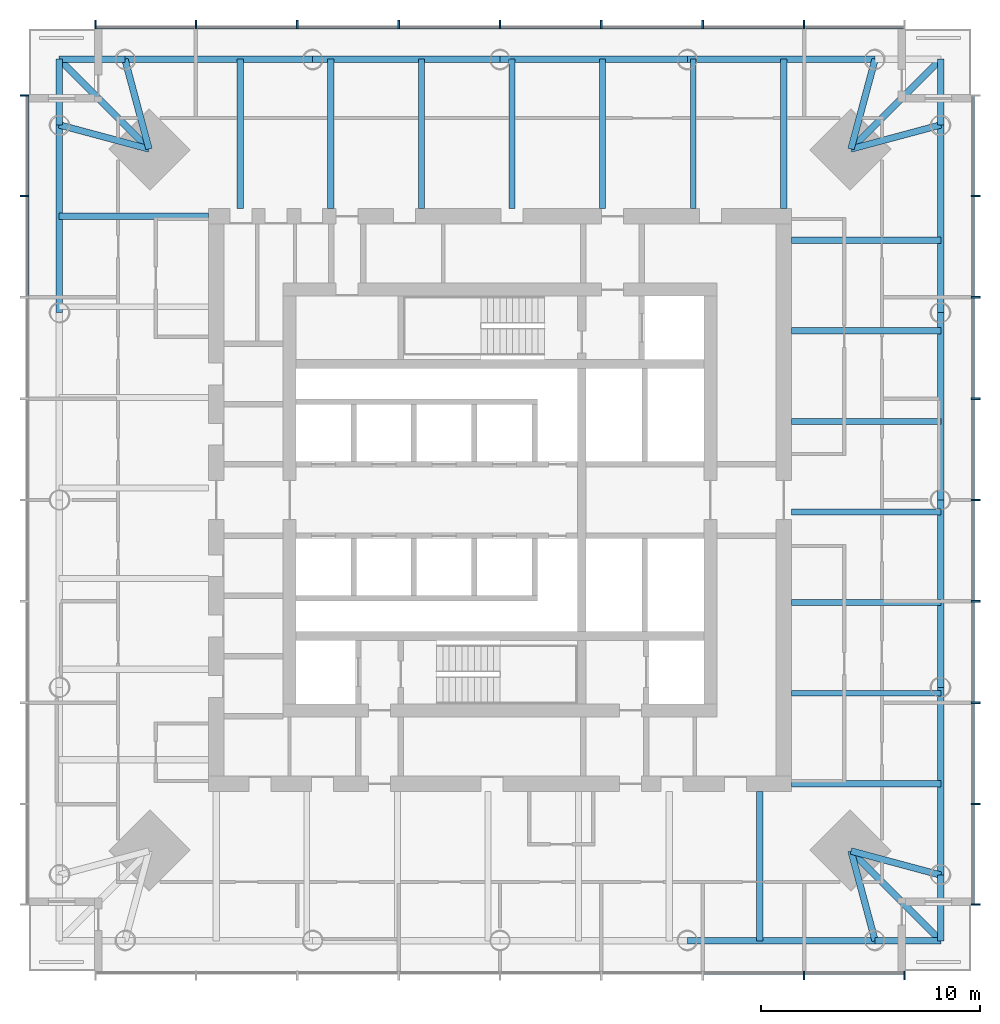
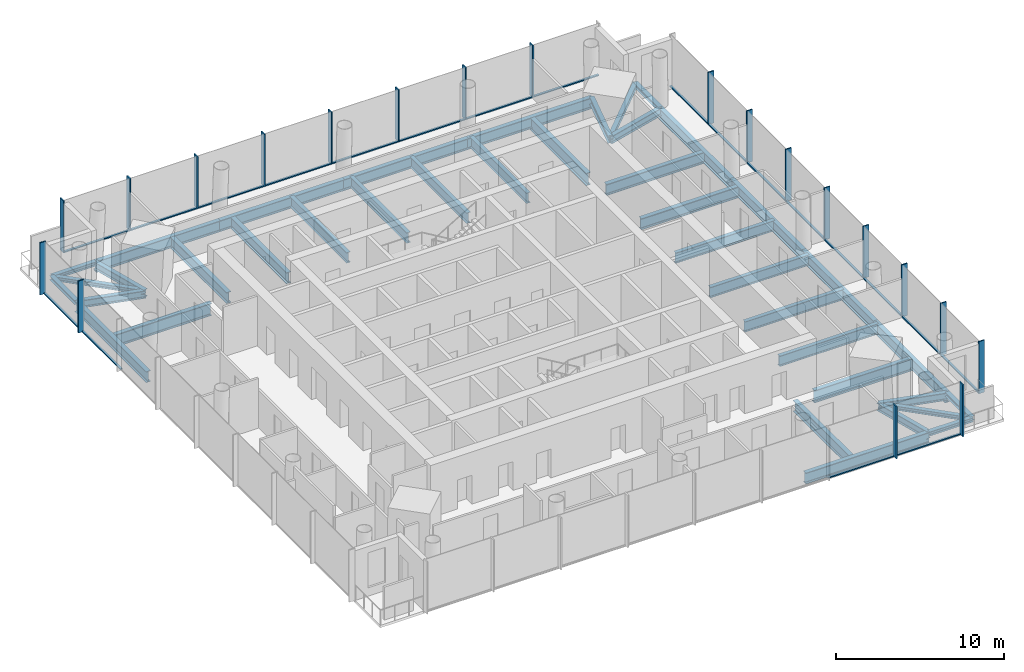
# One storey, part 2 of 9: 40 beams, 40 members, 4 elements without a shape of their own.
"""IFC4 building model written with IfcOpenShell, lengths in metres."""

from ifc_helpers import new_model, si_unit, direction, frame, origin, origin_2d, place, context, subcontext, project, spatial, rectangle, i_section, extrude, material, material_profile, profile_set, type_object, element, aggregate, save


model = new_model("IFC4")

# Units and contexts
model_context = context("Model", 3, precision=1e-05, world=origin(), true_north=direction((0.0, 1.0)))
body_context = subcontext(model_context, "Body", "Model", "MODEL_VIEW")
ifc_project = project(units=[si_unit("LENGTHUNIT", "METRE"), si_unit("AREAUNIT", "SQUARE_METRE"), si_unit("VOLUMEUNIT", "CUBIC_METRE"), si_unit("PLANEANGLEUNIT", "RADIAN"), si_unit("MASSUNIT", "GRAM", prefix="KILO")], contexts=[model_context])

# Site, building, storey
site_placement = place(None, origin())
site = spatial("IfcSite", under=ifc_project, at=site_placement, CompositionType="ELEMENT")
building_placement = place(site_placement, origin())
building = spatial("IfcBuilding", under=site, at=building_placement, Name="Ostroluk Exchange", CompositionType="ELEMENT")
storey_placement = place(building_placement, frame((0.0, 0.0, 142.60009765625)))
storey = spatial("IfcBuildingStorey", under=building, at=storey_placement, Name="L36", CompositionType="ELEMENT", Elevation=142.60009765625)

# Beams
ifc_material_1 = material(Name="Steel S355", Category="steel")
ifc_material_profile_1 = material_profile(ifc_material_1, i_section(OverallWidth=0.300048828125, OverallDepth=0.300048828125, WebThickness=0.010986328125, FlangeThickness=0.01904296875, FilletRadius=0.027099609375, at=origin_2d()), Name="HEB 300")
ifc_profile_set_1 = profile_set([ifc_material_profile_1], Name="Steel S355")
beam_type_1 = type_object("IfcBeamType", Name="Balcony beam HEB 300", PredefinedType="BEAM", material=ifc_profile_set_1)
beam_1_placement = place(storey_placement, frame((65.1142578125, 63.1142578125, -0.330078125), z_axis=(0.0, 1.0, 0.0), x_axis=(-1.0, 0.0, 0.0)))
element("IfcBeam", 1, at=beam_1_placement, inside=storey, type_object=beam_type_1, Name="T1 east balcony beam a", PredefinedType="BEAM", context=body_context, shape_type="SweptSolid", body=[
    extrude(i_section(OverallWidth=0.300048828125, OverallDepth=0.300048828125, WebThickness=0.010986328125, FlangeThickness=0.01904296875, FilletRadius=0.027099609375, at=origin_2d()), origin(), (0.0, 0.0, 1.0), 3.0),
])
beam_2_placement = place(storey_placement, frame((61.014404296875, 62.014404296875, -0.330078125), z_axis=(0.707106781187, 0.707106781187, 0.0), x_axis=(-0.707106781187, 0.707106781187, 0.0)))
element("IfcBeam", 2, at=beam_2_placement, inside=storey, type_object=beam_type_1, Name="T1 east balcony beam c", PredefinedType="BEAM", context=body_context, shape_type="SweptSolid", body=[
    extrude(i_section(OverallWidth=0.300048828125, OverallDepth=0.300048828125, WebThickness=0.010986328125, FlangeThickness=0.01904296875, FilletRadius=0.027099609375, at=origin_2d()), origin(), (0.0, 0.0, 1.0), 5.798095703125),
])
for number, where, z_axis, x_axis, name in (
    (3, (27.8857421875, 66.1142578125, -0.330078125), (-1.0, 0.0, 0.0), (0.0, -1.0, 0.0), "T1 north balcony beam a"),
    (4, (24.8857421875, 63.1142578125, -0.330078125), (0.0, 1.0, 0.0), (-1.0, 0.0, 0.0), "T1 north balcony beam b"),
):
    element("IfcBeam", number, at=place(storey_placement, frame(where, z_axis=z_axis, x_axis=x_axis)), inside=storey, type_object=beam_type_1, Name=name, PredefinedType="BEAM", context=body_context, shape_type="SweptSolid", body=[
        extrude(i_section(OverallWidth=0.300048828125, OverallDepth=0.300048828125, WebThickness=0.010986328125, FlangeThickness=0.01904296875, FilletRadius=0.027099609375, at=origin_2d()), origin(), (0.0, 0.0, 1.0), 3.0),
    ])
beam_3_placement = place(storey_placement, frame((28.985595703125, 62.014404296875, -0.330078125), z_axis=(-0.707106781187, 0.707106781187, 0.0), x_axis=(-0.707106781187, -0.707106781187, 0.0)))
element("IfcBeam", 5, at=beam_3_placement, inside=storey, type_object=beam_type_1, Name="T1 north balcony beam c", PredefinedType="BEAM", context=body_context, shape_type="SweptSolid", body=[
    extrude(i_section(OverallWidth=0.300048828125, OverallDepth=0.300048828125, WebThickness=0.010986328125, FlangeThickness=0.01904296875, FilletRadius=0.027099609375, at=origin_2d()), origin(), (0.0, 0.0, 1.0), 5.798095703125),
])
for number, where, z_axis, x_axis, name in (
    (6, (62.1142578125, 25.8857421875, -0.330078125), (1.0, 0.0, 0.0), (0.0, 1.0, 0.0), "T1 south balcony beam a"),
    (7, (65.1142578125, 28.8857421875, -0.330078125), (0.0, -1.0, 0.0), (1.0, 0.0, 0.0), "T1 south balcony beam b"),
):
    element("IfcBeam", number, at=place(storey_placement, frame(where, z_axis=z_axis, x_axis=x_axis)), inside=storey, type_object=beam_type_1, Name=name, PredefinedType="BEAM", context=body_context, shape_type="SweptSolid", body=[
        extrude(i_section(OverallWidth=0.300048828125, OverallDepth=0.300048828125, WebThickness=0.010986328125, FlangeThickness=0.01904296875, FilletRadius=0.027099609375, at=origin_2d()), origin(), (0.0, 0.0, 1.0), 3.0),
    ])
beam_4_placement = place(storey_placement, frame((61.014404296875, 29.985595703125, -0.330078125), z_axis=(0.707106781187, -0.707106781187, 0.0), x_axis=(0.707106781187, 0.707106781187, 0.0)))
element("IfcBeam", 8, at=beam_4_placement, inside=storey, type_object=beam_type_1, Name="T1 south balcony beam c", PredefinedType="BEAM", context=body_context, shape_type="SweptSolid", body=[
    extrude(i_section(OverallWidth=0.300048828125, OverallDepth=0.300048828125, WebThickness=0.010986328125, FlangeThickness=0.01904296875, FilletRadius=0.027099609375, at=origin_2d()), origin(), (0.0, 0.0, 1.0), 5.798095703125),
])
ifc_material_2 = material(Name="Steel S355", Category="steel")
ifc_material_profile_2 = material_profile(ifc_material_2, i_section(OverallWidth=0.300048828125, OverallDepth=0.550048828125, WebThickness=0.014892578125, FlangeThickness=0.029052734375, FilletRadius=0.027099609375, at=origin_2d()), Name="HEB 550")
ifc_profile_set_2 = profile_set([ifc_material_profile_2], Name="Steel S355")
beam_type_2 = type_object("IfcBeamType", Name="Corner edge beam HEB 550", PredefinedType="SPANDREL", material=ifc_profile_set_2)
for number, where, z_axis, x_axis, name in (
    (9, (61.014404296875, 62.014404296875, -0.455078125), (0.965849156574, 0.259105011038, 0.0), (-0.259105011038, 0.965849156574, 0.0), "T1 east corner edge beam a"),
    (10, (61.014404296875, 62.014404296875, -0.455078125), (0.259105011038, 0.965849156574, 0.0), (-0.965849156574, 0.259105011038, 0.0), "T1 east corner edge beam b"),
    (11, (28.985595703125, 62.014404296875, -0.455078125), (-0.259105011038, 0.965849156574, 0.0), (-0.965849156574, -0.259105011038, 0.0), "T1 north corner edge beam a"),
    (12, (28.985595703125, 62.014404296875, -0.455078125), (-0.965849156574, 0.259105011038, 0.0), (-0.259105011038, -0.965849156574, 0.0), "T1 north corner edge beam b"),
    (13, (61.014404296875, 29.985595703125, -0.455078125), (0.259105011038, -0.965849156574, 0.0), (0.965849156574, 0.259105011038, 0.0), "T1 south corner edge beam a"),
    (14, (61.014404296875, 29.985595703125, -0.455078125), (0.965849156574, -0.259105011038, 0.0), (0.259105011038, 0.965849156574, 0.0), "T1 south corner edge beam b"),
):
    element("IfcBeam", number, at=place(storey_placement, frame(where, z_axis=z_axis, x_axis=x_axis)), inside=storey, type_object=beam_type_2, Name=name, PredefinedType="SPANDREL", context=body_context, shape_type="SweptSolid", body=[
        extrude(i_section(OverallWidth=0.300048828125, OverallDepth=0.550048828125, WebThickness=0.014892578125, FlangeThickness=0.029052734375, FilletRadius=0.027099609375, at=origin_2d()), origin(), (0.0, 0.0, 1.0), 4.244873046875),
    ])
ifc_material_3 = material(Name="Steel S355", Category="steel")
ifc_material_profile_3 = material_profile(ifc_material_3, i_section(OverallWidth=0.302978515625, OverallDepth=0.81396484375, WebThickness=0.02099609375, FlangeThickness=0.0400390625, FilletRadius=0.030029296875, at=origin_2d()), Name="HEM 800")
ifc_profile_set_3 = profile_set([ifc_material_profile_3], Name="Steel S355")
beam_type_3 = type_object("IfcBeamType", Name="Floor beam HEM 800", PredefinedType="BEAM", material=ifc_profile_set_3)
for number, where, z_axis, x_axis, name in (
    (15, (58.300048828125, 53.715087890625, -0.587158203125), (1.0, 0.0, 0.0), (0.0, 1.0, 0.0), "T1 east floor beam 5"),
    (16, (58.300048828125, 57.84814453125, -0.587158203125), (1.0, 0.0, 0.0), (0.0, 1.0, 0.0), "T1 east floor beam 6"),
    (17, (37.284912109375, 59.300048828125, -0.587158203125), (0.0, 1.0, 0.0), (-1.0, 0.0, 0.0), "T1 north floor beam 5"),
    (18, (33.15185546875, 59.300048828125, -0.587158203125), (0.0, 1.0, 0.0), (-1.0, 0.0, 0.0), "T1 north floor beam 6"),
    (19, (56.84814453125, 32.699951171875, -0.587158203125), (0.0, -1.0, 0.0), (1.0, 0.0, 0.0), "T1 south floor beam 6"),
):
    element("IfcBeam", number, at=place(storey_placement, frame(where, z_axis=z_axis, x_axis=x_axis)), inside=storey, type_object=beam_type_3, Name=name, PredefinedType="BEAM", context=body_context, shape_type="SweptSolid", body=[
        extrude(i_section(OverallWidth=0.302978515625, OverallDepth=0.81396484375, WebThickness=0.02099609375, FlangeThickness=0.0400390625, FilletRadius=0.030029296875, at=origin_2d()), origin(), (0.0, 0.0, 1.0), 6.814208984375),
    ])
ifc_material_4 = material(Name="Steel S355", Category="steel")
ifc_material_profile_4 = material_profile(ifc_material_4, i_section(OverallWidth=0.26708984375, OverallDepth=0.761962890625, WebThickness=0.014404296875, FlangeThickness=0.021484375, FilletRadius=0.01708984375, at=origin_2d()), Name="IPE 750x173")
ifc_profile_set_4 = profile_set([ifc_material_profile_4], Name="Steel S355")
beam_type_4 = type_object("IfcBeamType", Name="Floor beam IPE 750x173", PredefinedType="BEAM", material=ifc_profile_set_4)
for number, where, z_axis, x_axis, name in (
    (20, (58.300048828125, 37.18310546875, -0.56103515625), (1.0, 0.0, 0.0), (0.0, 1.0, 0.0), "T1 east floor beam 1"),
    (21, (58.300048828125, 41.316162109375, -0.56103515625), (1.0, 0.0, 0.0), (0.0, 1.0, 0.0), "T1 east floor beam 2"),
    (22, (58.300048828125, 45.44921875, -0.56103515625), (1.0, 0.0, 0.0), (0.0, 1.0, 0.0), "T1 east floor beam 3"),
    (23, (58.300048828125, 49.58203125, -0.56103515625), (1.0, 0.0, 0.0), (0.0, 1.0, 0.0), "T1 east floor beam 4"),
    (24, (53.81689453125, 59.300048828125, -0.56103515625), (0.0, 1.0, 0.0), (-1.0, 0.0, 0.0), "T1 north floor beam 1"),
    (25, (49.683837890625, 59.300048828125, -0.56103515625), (0.0, 1.0, 0.0), (-1.0, 0.0, 0.0), "T1 north floor beam 2"),
    (26, (45.55078125, 59.300048828125, -0.56103515625), (0.0, 1.0, 0.0), (-1.0, 0.0, 0.0), "T1 north floor beam 3"),
    (27, (41.41796875, 59.300048828125, -0.56103515625), (0.0, 1.0, 0.0), (-1.0, 0.0, 0.0), "T1 north floor beam 4"),
):
    element("IfcBeam", number, at=place(storey_placement, frame(where, z_axis=z_axis, x_axis=x_axis)), inside=storey, type_object=beam_type_4, Name=name, PredefinedType="BEAM", context=body_context, shape_type="SweptSolid", body=[
        extrude(i_section(OverallWidth=0.26708984375, OverallDepth=0.761962890625, WebThickness=0.014404296875, FlangeThickness=0.021484375, FilletRadius=0.01708984375, at=origin_2d()), origin(), (0.0, 0.0, 1.0), 6.814208984375),
    ])
ifc_material_5 = material(Name="Steel S355", Category="steel")
ifc_material_profile_5 = material_profile(ifc_material_5, i_section(OverallWidth=0.300048828125, OverallDepth=0.89990234375, WebThickness=0.0185546875, FlangeThickness=0.034912109375, FilletRadius=0.030029296875, at=origin_2d()), Name="HEB 900")
ifc_profile_set_5 = profile_set([ifc_material_profile_5], Name="Steel S355")
beam_type_5 = type_object("IfcBeamType", Name="Girder HEB 900", PredefinedType="BEAM", material=ifc_profile_set_5)
for number, where, z_axis, x_axis, name in (
    (28, (57.949951171875, 59.300048828125, -0.630126953125), (0.0, 1.0, 0.0), (-1.0, 0.0, 0.0), "T1 east girder"),
    (29, (31.699951171875, 58.949951171875, -0.630126953125), (-1.0, 0.0, 0.0), (0.0, -1.0, 0.0), "T1 north girder"),
    (30, (58.300048828125, 33.050048828125, -0.630126953125), (1.0, 0.0, 0.0), (0.0, 1.0, 0.0), "T1 south girder"),
):
    element("IfcBeam", number, at=place(storey_placement, frame(where, z_axis=z_axis, x_axis=x_axis)), inside=storey, type_object=beam_type_5, Name=name, PredefinedType="BEAM", context=body_context, shape_type="SweptSolid", body=[
        extrude(i_section(OverallWidth=0.300048828125, OverallDepth=0.89990234375, WebThickness=0.0185546875, FlangeThickness=0.034912109375, FilletRadius=0.030029296875, at=origin_2d()), origin(), (0.0, 0.0, 1.0), 6.814208984375),
    ])
ifc_material_6 = material(Name="Steel S355", Category="steel")
ifc_material_profile_6 = material_profile(ifc_material_6, i_section(OverallWidth=0.300048828125, OverallDepth=0.800048828125, WebThickness=0.017578125, FlangeThickness=0.032958984375, FilletRadius=0.030029296875, at=origin_2d()), Name="HEB 800")
ifc_profile_set_6 = profile_set([ifc_material_profile_6], Name="Steel S355")
beam_type_6 = type_object("IfcBeamType", Name="Moment-connected edge beam HEB 800", PredefinedType="SPANDREL", material=ifc_profile_set_6)
for number, where, z_axis, x_axis, name in (
    (31, (65.1142578125, 28.8857421875, -0.580078125), (0.0, 1.0, 0.0), (-1.0, 0.0, 0.0), "T1 east edge beam 1"),
    (32, (65.1142578125, 37.44287109375, -0.580078125), (0.0, 1.0, 0.0), (-1.0, 0.0, 0.0), "T1 east edge beam 2"),
    (33, (65.1142578125, 46.0, -0.580078125), (0.0, 1.0, 0.0), (-1.0, 0.0, 0.0), "T1 east edge beam 3"),
    (34, (65.1142578125, 54.55712890625, -0.580078125), (0.0, 1.0, 0.0), (-1.0, 0.0, 0.0), "T1 east edge beam 4"),
    (35, (62.1142578125, 66.1142578125, -0.580078125), (-1.0, 0.0, 0.0), (0.0, -1.0, 0.0), "T1 north edge beam 1"),
    (36, (53.55712890625, 66.1142578125, -0.580078125), (-1.0, 0.0, 0.0), (0.0, -1.0, 0.0), "T1 north edge beam 2"),
    (37, (45.0, 66.1142578125, -0.580078125), (-1.0, 0.0, 0.0), (0.0, -1.0, 0.0), "T1 north edge beam 3"),
    (38, (36.44287109375, 66.1142578125, -0.580078125), (-1.0, 0.0, 0.0), (0.0, -1.0, 0.0), "T1 north edge beam 4"),
    (39, (24.8857421875, 63.1142578125, -0.580078125), (0.0, -1.0, 0.0), (1.0, 0.0, 0.0), "T1 west edge beam 1"),
    (40, (53.55712890625, 25.8857421875, -0.580078125), (1.0, 0.0, 0.0), (0.0, 1.0, 0.0), "T1 south edge beam 4"),
):
    element("IfcBeam", number, at=place(storey_placement, frame(where, z_axis=z_axis, x_axis=x_axis)), inside=storey, type_object=beam_type_6, Name=name, PredefinedType="SPANDREL", context=body_context, shape_type="SweptSolid", body=[
        extrude(i_section(OverallWidth=0.300048828125, OverallDepth=0.800048828125, WebThickness=0.017578125, FlangeThickness=0.032958984375, FilletRadius=0.030029296875, at=origin_2d()), origin(), (0.0, 0.0, 1.0), 8.55712890625),
    ])

# Curtain wall, members
ifc_material_7 = material(Name="Laminated clear glass", Category="glass")
curtain_wall_type = type_object("IfcCurtainWallType", Name="Office tower facade", PredefinedType="USERDEFINED", material=ifc_material_7)
curtain_wall_1_placement = place(storey_placement, origin())
curtain_wall_1 = element("IfcCurtainWall", 41, at=curtain_wall_1_placement, inside=storey, type_object=curtain_wall_type, Name="Office tower south facade L36", ObjectType="UNITISED CURTAIN WALL", PredefinedType="USERDEFINED")
ifc_material_8 = material(Name="Aluminium mullion", Category="aluminium")
ifc_material_profile_7 = material_profile(ifc_material_8, rectangle(XDim=0.14990234375, YDim=0.080078125, at=origin_2d()), Name="Sill transom 80 x 150")
ifc_profile_set_7 = profile_set([ifc_material_profile_7], Name="Aluminium mullion")
member_type_1 = type_object("IfcMemberType", Name="Sill transom 80 x 150", PredefinedType="USERDEFINED", material=ifc_profile_set_7)
member_1_placement = place(storey_placement, frame((54.2900390625, 24.425048828125, 0.039794921875), z_axis=(1.0, 0.0, 0.0), x_axis=(0.0, 1.0, 0.0)))
member_1 = element("IfcMember", 42, at=member_1_placement, type_object=member_type_1, Name="CW-O1 transom 7.1", ObjectType="TRANSOM", PredefinedType="USERDEFINED", context=body_context, shape_type="SweptSolid", body=[
    extrude(rectangle(XDim=0.14990234375, YDim=0.080078125, at=origin_2d()), origin(), (0.0, 0.0, 1.0), 4.544921875),
])
member_2_placement = place(storey_placement, frame((58.9150390625, 24.425048828125, 0.039794921875), z_axis=(1.0, 0.0, 0.0), x_axis=(0.0, 1.0, 0.0)))
member_2 = element("IfcMember", 43, at=member_2_placement, type_object=member_type_1, Name="CW-O1 transom 8.1", ObjectType="TRANSOM", PredefinedType="USERDEFINED", context=body_context, shape_type="SweptSolid", body=[
    extrude(rectangle(XDim=0.14990234375, YDim=0.080078125, at=origin_2d()), origin(), (0.0, 0.0, 1.0), 4.5048828125),
])

curtain_wall_2_placement = place(storey_placement, origin())
curtain_wall_2 = element("IfcCurtainWall", 44, at=curtain_wall_2_placement, inside=storey, type_object=curtain_wall_type, Name="Office tower east facade L36", ObjectType="UNITISED CURTAIN WALL", PredefinedType="USERDEFINED")
member_3_placement = place(storey_placement, frame((66.574951171875, 27.580078125, 0.039794921875), z_axis=(0.0, 1.0, 0.0), x_axis=(-1.0, 0.0, 0.0)))
member_3 = element("IfcMember", 45, at=member_3_placement, type_object=member_type_1, Name="CW-O1 transom 1.1", ObjectType="TRANSOM", PredefinedType="USERDEFINED", context=body_context, shape_type="SweptSolid", body=[
    extrude(rectangle(XDim=0.14990234375, YDim=0.080078125, at=origin_2d()), origin(), (0.0, 0.0, 1.0), 4.5048828125),
])
member_4_placement = place(storey_placement, frame((66.574951171875, 32.1650390625, 0.039794921875), z_axis=(0.0, 1.0, 0.0), x_axis=(-1.0, 0.0, 0.0)))
member_4 = element("IfcMember", 46, at=member_4_placement, type_object=member_type_1, Name="CW-O1 transom 2.1", ObjectType="TRANSOM", PredefinedType="USERDEFINED", context=body_context, shape_type="SweptSolid", body=[
    extrude(rectangle(XDim=0.14990234375, YDim=0.080078125, at=origin_2d()), origin(), (0.0, 0.0, 1.0), 4.544921875),
])
member_5_placement = place(storey_placement, frame((66.574951171875, 36.7900390625, 0.039794921875), z_axis=(0.0, 1.0, 0.0), x_axis=(-1.0, 0.0, 0.0)))
member_5 = element("IfcMember", 47, at=member_5_placement, type_object=member_type_1, Name="CW-O1 transom 3.1", ObjectType="TRANSOM", PredefinedType="USERDEFINED", context=body_context, shape_type="SweptSolid", body=[
    extrude(rectangle(XDim=0.14990234375, YDim=0.080078125, at=origin_2d()), origin(), (0.0, 0.0, 1.0), 4.544921875),
])
member_6_placement = place(storey_placement, frame((66.574951171875, 41.4150390625, 0.039794921875), z_axis=(0.0, 1.0, 0.0), x_axis=(-1.0, 0.0, 0.0)))
member_6 = element("IfcMember", 48, at=member_6_placement, type_object=member_type_1, Name="CW-O1 transom 4.1", ObjectType="TRANSOM", PredefinedType="USERDEFINED", context=body_context, shape_type="SweptSolid", body=[
    extrude(rectangle(XDim=0.14990234375, YDim=0.080078125, at=origin_2d()), origin(), (0.0, 0.0, 1.0), 4.544921875),
])
member_7_placement = place(storey_placement, frame((66.574951171875, 46.0400390625, 0.039794921875), z_axis=(0.0, 1.0, 0.0), x_axis=(-1.0, 0.0, 0.0)))
member_7 = element("IfcMember", 49, at=member_7_placement, type_object=member_type_1, Name="CW-O1 transom 5.1", ObjectType="TRANSOM", PredefinedType="USERDEFINED", context=body_context, shape_type="SweptSolid", body=[
    extrude(rectangle(XDim=0.14990234375, YDim=0.080078125, at=origin_2d()), origin(), (0.0, 0.0, 1.0), 4.544921875),
])
member_8_placement = place(storey_placement, frame((66.574951171875, 50.6650390625, 0.039794921875), z_axis=(0.0, 1.0, 0.0), x_axis=(-1.0, 0.0, 0.0)))
member_8 = element("IfcMember", 50, at=member_8_placement, type_object=member_type_1, Name="CW-O1 transom 6.1", ObjectType="TRANSOM", PredefinedType="USERDEFINED", context=body_context, shape_type="SweptSolid", body=[
    extrude(rectangle(XDim=0.14990234375, YDim=0.080078125, at=origin_2d()), origin(), (0.0, 0.0, 1.0), 4.544921875),
])
member_9_placement = place(storey_placement, frame((66.574951171875, 55.2900390625, 0.039794921875), z_axis=(0.0, 1.0, 0.0), x_axis=(-1.0, 0.0, 0.0)))
member_9 = element("IfcMember", 51, at=member_9_placement, type_object=member_type_1, Name="CW-O1 transom 7.1", ObjectType="TRANSOM", PredefinedType="USERDEFINED", context=body_context, shape_type="SweptSolid", body=[
    extrude(rectangle(XDim=0.14990234375, YDim=0.080078125, at=origin_2d()), origin(), (0.0, 0.0, 1.0), 4.544921875),
])
member_10_placement = place(storey_placement, frame((66.574951171875, 59.9150390625, 0.039794921875), z_axis=(0.0, 1.0, 0.0), x_axis=(-1.0, 0.0, 0.0)))
member_10 = element("IfcMember", 52, at=member_10_placement, type_object=member_type_1, Name="CW-O1 transom 8.1", ObjectType="TRANSOM", PredefinedType="USERDEFINED", context=body_context, shape_type="SweptSolid", body=[
    extrude(rectangle(XDim=0.14990234375, YDim=0.080078125, at=origin_2d()), origin(), (0.0, 0.0, 1.0), 4.5048828125),
])

curtain_wall_3_placement = place(storey_placement, origin())
curtain_wall_3 = element("IfcCurtainWall", 53, at=curtain_wall_3_placement, inside=storey, type_object=curtain_wall_type, Name="Office tower north facade L36", ObjectType="UNITISED CURTAIN WALL", PredefinedType="USERDEFINED")
member_11_placement = place(storey_placement, frame((63.419921875, 67.574951171875, 0.039794921875), z_axis=(-1.0, 0.0, 0.0), x_axis=(0.0, -1.0, 0.0)))
member_11 = element("IfcMember", 54, at=member_11_placement, type_object=member_type_1, Name="CW-O1 transom 1.1", ObjectType="TRANSOM", PredefinedType="USERDEFINED", context=body_context, shape_type="SweptSolid", body=[
    extrude(rectangle(XDim=0.14990234375, YDim=0.080078125, at=origin_2d()), origin(), (0.0, 0.0, 1.0), 4.5048828125),
])
member_12_placement = place(storey_placement, frame((58.8349609375, 67.574951171875, 0.039794921875), z_axis=(-1.0, 0.0, 0.0), x_axis=(0.0, -1.0, 0.0)))
member_12 = element("IfcMember", 55, at=member_12_placement, type_object=member_type_1, Name="CW-O1 transom 2.1", ObjectType="TRANSOM", PredefinedType="USERDEFINED", context=body_context, shape_type="SweptSolid", body=[
    extrude(rectangle(XDim=0.14990234375, YDim=0.080078125, at=origin_2d()), origin(), (0.0, 0.0, 1.0), 4.544921875),
])
member_13_placement = place(storey_placement, frame((54.2099609375, 67.574951171875, 0.039794921875), z_axis=(-1.0, 0.0, 0.0), x_axis=(0.0, -1.0, 0.0)))
member_13 = element("IfcMember", 56, at=member_13_placement, type_object=member_type_1, Name="CW-O1 transom 3.1", ObjectType="TRANSOM", PredefinedType="USERDEFINED", context=body_context, shape_type="SweptSolid", body=[
    extrude(rectangle(XDim=0.14990234375, YDim=0.080078125, at=origin_2d()), origin(), (0.0, 0.0, 1.0), 4.544921875),
])
member_14_placement = place(storey_placement, frame((49.5849609375, 67.574951171875, 0.039794921875), z_axis=(-1.0, 0.0, 0.0), x_axis=(0.0, -1.0, 0.0)))
member_14 = element("IfcMember", 57, at=member_14_placement, type_object=member_type_1, Name="CW-O1 transom 4.1", ObjectType="TRANSOM", PredefinedType="USERDEFINED", context=body_context, shape_type="SweptSolid", body=[
    extrude(rectangle(XDim=0.14990234375, YDim=0.080078125, at=origin_2d()), origin(), (0.0, 0.0, 1.0), 4.544921875),
])
member_15_placement = place(storey_placement, frame((44.9599609375, 67.574951171875, 0.039794921875), z_axis=(-1.0, 0.0, 0.0), x_axis=(0.0, -1.0, 0.0)))
member_15 = element("IfcMember", 58, at=member_15_placement, type_object=member_type_1, Name="CW-O1 transom 5.1", ObjectType="TRANSOM", PredefinedType="USERDEFINED", context=body_context, shape_type="SweptSolid", body=[
    extrude(rectangle(XDim=0.14990234375, YDim=0.080078125, at=origin_2d()), origin(), (0.0, 0.0, 1.0), 4.544921875),
])
member_16_placement = place(storey_placement, frame((40.3349609375, 67.574951171875, 0.039794921875), z_axis=(-1.0, 0.0, 0.0), x_axis=(0.0, -1.0, 0.0)))
member_16 = element("IfcMember", 59, at=member_16_placement, type_object=member_type_1, Name="CW-O1 transom 6.1", ObjectType="TRANSOM", PredefinedType="USERDEFINED", context=body_context, shape_type="SweptSolid", body=[
    extrude(rectangle(XDim=0.14990234375, YDim=0.080078125, at=origin_2d()), origin(), (0.0, 0.0, 1.0), 4.544921875),
])
member_17_placement = place(storey_placement, frame((35.7099609375, 67.574951171875, 0.039794921875), z_axis=(-1.0, 0.0, 0.0), x_axis=(0.0, -1.0, 0.0)))
member_17 = element("IfcMember", 60, at=member_17_placement, type_object=member_type_1, Name="CW-O1 transom 7.1", ObjectType="TRANSOM", PredefinedType="USERDEFINED", context=body_context, shape_type="SweptSolid", body=[
    extrude(rectangle(XDim=0.14990234375, YDim=0.080078125, at=origin_2d()), origin(), (0.0, 0.0, 1.0), 4.544921875),
])
member_18_placement = place(storey_placement, frame((31.0849609375, 67.574951171875, 0.039794921875), z_axis=(-1.0, 0.0, 0.0), x_axis=(0.0, -1.0, 0.0)))
member_18 = element("IfcMember", 61, at=member_18_placement, type_object=member_type_1, Name="CW-O1 transom 8.1", ObjectType="TRANSOM", PredefinedType="USERDEFINED", context=body_context, shape_type="SweptSolid", body=[
    extrude(rectangle(XDim=0.14990234375, YDim=0.080078125, at=origin_2d()), origin(), (0.0, 0.0, 1.0), 4.5048828125),
])

curtain_wall_4_placement = place(storey_placement, origin())
curtain_wall_4 = element("IfcCurtainWall", 62, at=curtain_wall_4_placement, inside=storey, type_object=curtain_wall_type, Name="Office tower west facade L36", ObjectType="UNITISED CURTAIN WALL", PredefinedType="USERDEFINED")
member_19_placement = place(storey_placement, frame((23.425048828125, 64.419921875, 0.039794921875), z_axis=(0.0, -1.0, 0.0), x_axis=(1.0, 0.0, 0.0)))
member_19 = element("IfcMember", 63, at=member_19_placement, type_object=member_type_1, Name="CW-O1 transom 1.1", ObjectType="TRANSOM", PredefinedType="USERDEFINED", context=body_context, shape_type="SweptSolid", body=[
    extrude(rectangle(XDim=0.14990234375, YDim=0.080078125, at=origin_2d()), origin(), (0.0, 0.0, 1.0), 4.5048828125),
])
member_20_placement = place(storey_placement, frame((23.425048828125, 59.8349609375, 0.039794921875), z_axis=(0.0, -1.0, 0.0), x_axis=(1.0, 0.0, 0.0)))
member_20 = element("IfcMember", 64, at=member_20_placement, type_object=member_type_1, Name="CW-O1 transom 2.1", ObjectType="TRANSOM", PredefinedType="USERDEFINED", context=body_context, shape_type="SweptSolid", body=[
    extrude(rectangle(XDim=0.14990234375, YDim=0.080078125, at=origin_2d()), origin(), (0.0, 0.0, 1.0), 4.544921875),
])

# Member
ifc_material_9 = material(Name="Aluminium mullion with limestone facing", Category="masonry")
ifc_material_profile_8 = material_profile(ifc_material_9, rectangle(XDim=0.39990234375, YDim=0.080078125, at=origin_2d()), Name="Tracery mullion 80 x 400")
ifc_profile_set_8 = profile_set([ifc_material_profile_8], Name="Aluminium mullion with limestone facing")
member_type_2 = type_object("IfcMemberType", Name="Tracery mullion 80 x 400", PredefinedType="MULLION", material=ifc_profile_set_8)
member_21_placement = place(storey_placement, frame((58.875, 24.300048828125, 0.0), z_axis=(0.0, 0.0, 1.0), x_axis=(0.0, 1.0, 0.0)))
member_21 = element("IfcMember", 65, at=member_21_placement, type_object=member_type_2, Name="CW-O1 mullion 8", PredefinedType="MULLION", context=body_context, shape_type="SweptSolid", body=[
    extrude(rectangle(XDim=0.39990234375, YDim=0.080078125, at=origin_2d()), origin(), (0.0, 0.0, 1.0), 3.7998046875),
])

member_22_placement = place(storey_placement, frame((63.4599609375, 24.300048828125, 0.0), z_axis=(0.0, 0.0, 1.0), x_axis=(0.0, 1.0, 0.0)))
member_22 = element("IfcMember", 66, at=member_22_placement, type_object=member_type_2, Name="CW-O1 mullion 9", PredefinedType="MULLION", context=body_context, shape_type="SweptSolid", body=[
    extrude(rectangle(XDim=0.39990234375, YDim=0.080078125, at=origin_2d()), origin(), (0.0, 0.0, 1.0), 3.7998046875),
])

aggregate(curtain_wall_1, [member_21, member_22, member_1, member_2])

member_23_placement = place(storey_placement, frame((66.699951171875, 27.5400390625, 0.0), z_axis=(0.0, 0.0, 1.0), x_axis=(-1.0, 0.0, 0.0)))
member_23 = element("IfcMember", 67, at=member_23_placement, type_object=member_type_2, Name="CW-O1 mullion 1", PredefinedType="MULLION", context=body_context, shape_type="SweptSolid", body=[
    extrude(rectangle(XDim=0.39990234375, YDim=0.080078125, at=origin_2d()), origin(), (0.0, 0.0, 1.0), 3.7998046875),
])

member_24_placement = place(storey_placement, frame((66.699951171875, 32.125, 0.0), z_axis=(0.0, 0.0, 1.0), x_axis=(-1.0, 0.0, 0.0)))
member_24 = element("IfcMember", 68, at=member_24_placement, type_object=member_type_2, Name="CW-O1 mullion 2", PredefinedType="MULLION", context=body_context, shape_type="SweptSolid", body=[
    extrude(rectangle(XDim=0.39990234375, YDim=0.080078125, at=origin_2d()), origin(), (0.0, 0.0, 1.0), 3.7998046875),
])

member_25_placement = place(storey_placement, frame((66.699951171875, 36.75, 0.0), z_axis=(0.0, 0.0, 1.0), x_axis=(-1.0, 0.0, 0.0)))
member_25 = element("IfcMember", 69, at=member_25_placement, type_object=member_type_2, Name="CW-O1 mullion 3", PredefinedType="MULLION", context=body_context, shape_type="SweptSolid", body=[
    extrude(rectangle(XDim=0.39990234375, YDim=0.080078125, at=origin_2d()), origin(), (0.0, 0.0, 1.0), 3.7998046875),
])

member_26_placement = place(storey_placement, frame((66.699951171875, 41.375, 0.0), z_axis=(0.0, 0.0, 1.0), x_axis=(-1.0, 0.0, 0.0)))
member_26 = element("IfcMember", 70, at=member_26_placement, type_object=member_type_2, Name="CW-O1 mullion 4", PredefinedType="MULLION", context=body_context, shape_type="SweptSolid", body=[
    extrude(rectangle(XDim=0.39990234375, YDim=0.080078125, at=origin_2d()), origin(), (0.0, 0.0, 1.0), 3.7998046875),
])

member_27_placement = place(storey_placement, frame((66.699951171875, 46.0, 0.0), z_axis=(0.0, 0.0, 1.0), x_axis=(-1.0, 0.0, 0.0)))
member_27 = element("IfcMember", 71, at=member_27_placement, type_object=member_type_2, Name="CW-O1 mullion 5", PredefinedType="MULLION", context=body_context, shape_type="SweptSolid", body=[
    extrude(rectangle(XDim=0.39990234375, YDim=0.080078125, at=origin_2d()), origin(), (0.0, 0.0, 1.0), 3.7998046875),
])

member_28_placement = place(storey_placement, frame((66.699951171875, 50.625, 0.0), z_axis=(0.0, 0.0, 1.0), x_axis=(-1.0, 0.0, 0.0)))
member_28 = element("IfcMember", 72, at=member_28_placement, type_object=member_type_2, Name="CW-O1 mullion 6", PredefinedType="MULLION", context=body_context, shape_type="SweptSolid", body=[
    extrude(rectangle(XDim=0.39990234375, YDim=0.080078125, at=origin_2d()), origin(), (0.0, 0.0, 1.0), 3.7998046875),
])

member_29_placement = place(storey_placement, frame((66.699951171875, 55.25, 0.0), z_axis=(0.0, 0.0, 1.0), x_axis=(-1.0, 0.0, 0.0)))
member_29 = element("IfcMember", 73, at=member_29_placement, type_object=member_type_2, Name="CW-O1 mullion 7", PredefinedType="MULLION", context=body_context, shape_type="SweptSolid", body=[
    extrude(rectangle(XDim=0.39990234375, YDim=0.080078125, at=origin_2d()), origin(), (0.0, 0.0, 1.0), 3.7998046875),
])

member_30_placement = place(storey_placement, frame((66.699951171875, 59.875, 0.0), z_axis=(0.0, 0.0, 1.0), x_axis=(-1.0, 0.0, 0.0)))
member_30 = element("IfcMember", 74, at=member_30_placement, type_object=member_type_2, Name="CW-O1 mullion 8", PredefinedType="MULLION", context=body_context, shape_type="SweptSolid", body=[
    extrude(rectangle(XDim=0.39990234375, YDim=0.080078125, at=origin_2d()), origin(), (0.0, 0.0, 1.0), 3.7998046875),
])

aggregate(curtain_wall_2, [member_23, member_24, member_25, member_26, member_27, member_28, member_29, member_30, member_3, member_4, member_5, member_6, member_7, member_8, member_9, member_10])

member_31_placement = place(storey_placement, frame((58.875, 67.699951171875, 0.0), z_axis=(0.0, 0.0, 1.0), x_axis=(0.0, -1.0, 0.0)))
member_31 = element("IfcMember", 75, at=member_31_placement, type_object=member_type_2, Name="CW-O1 mullion 2", PredefinedType="MULLION", context=body_context, shape_type="SweptSolid", body=[
    extrude(rectangle(XDim=0.39990234375, YDim=0.080078125, at=origin_2d()), origin(), (0.0, 0.0, 1.0), 3.7998046875),
])

member_32_placement = place(storey_placement, frame((54.25, 67.699951171875, 0.0), z_axis=(0.0, 0.0, 1.0), x_axis=(0.0, -1.0, 0.0)))
member_32 = element("IfcMember", 76, at=member_32_placement, type_object=member_type_2, Name="CW-O1 mullion 3", PredefinedType="MULLION", context=body_context, shape_type="SweptSolid", body=[
    extrude(rectangle(XDim=0.39990234375, YDim=0.080078125, at=origin_2d()), origin(), (0.0, 0.0, 1.0), 3.7998046875),
])

member_33_placement = place(storey_placement, frame((49.625, 67.699951171875, 0.0), z_axis=(0.0, 0.0, 1.0), x_axis=(0.0, -1.0, 0.0)))
member_33 = element("IfcMember", 77, at=member_33_placement, type_object=member_type_2, Name="CW-O1 mullion 4", PredefinedType="MULLION", context=body_context, shape_type="SweptSolid", body=[
    extrude(rectangle(XDim=0.39990234375, YDim=0.080078125, at=origin_2d()), origin(), (0.0, 0.0, 1.0), 3.7998046875),
])

member_34_placement = place(storey_placement, frame((45.0, 67.699951171875, 0.0), z_axis=(0.0, 0.0, 1.0), x_axis=(0.0, -1.0, 0.0)))
member_34 = element("IfcMember", 78, at=member_34_placement, type_object=member_type_2, Name="CW-O1 mullion 5", PredefinedType="MULLION", context=body_context, shape_type="SweptSolid", body=[
    extrude(rectangle(XDim=0.39990234375, YDim=0.080078125, at=origin_2d()), origin(), (0.0, 0.0, 1.0), 3.7998046875),
])

member_35_placement = place(storey_placement, frame((40.375, 67.699951171875, 0.0), z_axis=(0.0, 0.0, 1.0), x_axis=(0.0, -1.0, 0.0)))
member_35 = element("IfcMember", 79, at=member_35_placement, type_object=member_type_2, Name="CW-O1 mullion 6", PredefinedType="MULLION", context=body_context, shape_type="SweptSolid", body=[
    extrude(rectangle(XDim=0.39990234375, YDim=0.080078125, at=origin_2d()), origin(), (0.0, 0.0, 1.0), 3.7998046875),
])

member_36_placement = place(storey_placement, frame((35.75, 67.699951171875, 0.0), z_axis=(0.0, 0.0, 1.0), x_axis=(0.0, -1.0, 0.0)))
member_36 = element("IfcMember", 80, at=member_36_placement, type_object=member_type_2, Name="CW-O1 mullion 7", PredefinedType="MULLION", context=body_context, shape_type="SweptSolid", body=[
    extrude(rectangle(XDim=0.39990234375, YDim=0.080078125, at=origin_2d()), origin(), (0.0, 0.0, 1.0), 3.7998046875),
])

member_37_placement = place(storey_placement, frame((31.125, 67.699951171875, 0.0), z_axis=(0.0, 0.0, 1.0), x_axis=(0.0, -1.0, 0.0)))
member_37 = element("IfcMember", 81, at=member_37_placement, type_object=member_type_2, Name="CW-O1 mullion 8", PredefinedType="MULLION", context=body_context, shape_type="SweptSolid", body=[
    extrude(rectangle(XDim=0.39990234375, YDim=0.080078125, at=origin_2d()), origin(), (0.0, 0.0, 1.0), 3.7998046875),
])

member_38_placement = place(storey_placement, frame((26.5400390625, 67.699951171875, 0.0), z_axis=(0.0, 0.0, 1.0), x_axis=(0.0, -1.0, 0.0)))
member_38 = element("IfcMember", 82, at=member_38_placement, type_object=member_type_2, Name="CW-O1 mullion 9", PredefinedType="MULLION", context=body_context, shape_type="SweptSolid", body=[
    extrude(rectangle(XDim=0.39990234375, YDim=0.080078125, at=origin_2d()), origin(), (0.0, 0.0, 1.0), 3.7998046875),
])

aggregate(curtain_wall_3, [member_31, member_32, member_33, member_34, member_35, member_36, member_37, member_38, member_11, member_12, member_13, member_14, member_15, member_16, member_17, member_18])

member_39_placement = place(storey_placement, frame((23.300048828125, 64.4599609375, 0.0), z_axis=(0.0, 0.0, 1.0), x_axis=(1.0, 0.0, 0.0)))
member_39 = element("IfcMember", 83, at=member_39_placement, type_object=member_type_2, Name="CW-O1 mullion 1", PredefinedType="MULLION", context=body_context, shape_type="SweptSolid", body=[
    extrude(rectangle(XDim=0.39990234375, YDim=0.080078125, at=origin_2d()), origin(), (0.0, 0.0, 1.0), 3.7998046875),
])

member_40_placement = place(storey_placement, frame((23.300048828125, 59.875, 0.0), z_axis=(0.0, 0.0, 1.0), x_axis=(1.0, 0.0, 0.0)))
member_40 = element("IfcMember", 84, at=member_40_placement, type_object=member_type_2, Name="CW-O1 mullion 2", PredefinedType="MULLION", context=body_context, shape_type="SweptSolid", body=[
    extrude(rectangle(XDim=0.39990234375, YDim=0.080078125, at=origin_2d()), origin(), (0.0, 0.0, 1.0), 3.7998046875),
])

aggregate(curtain_wall_4, [member_39, member_40, member_19, member_20])

save(model, "model.ifc")
